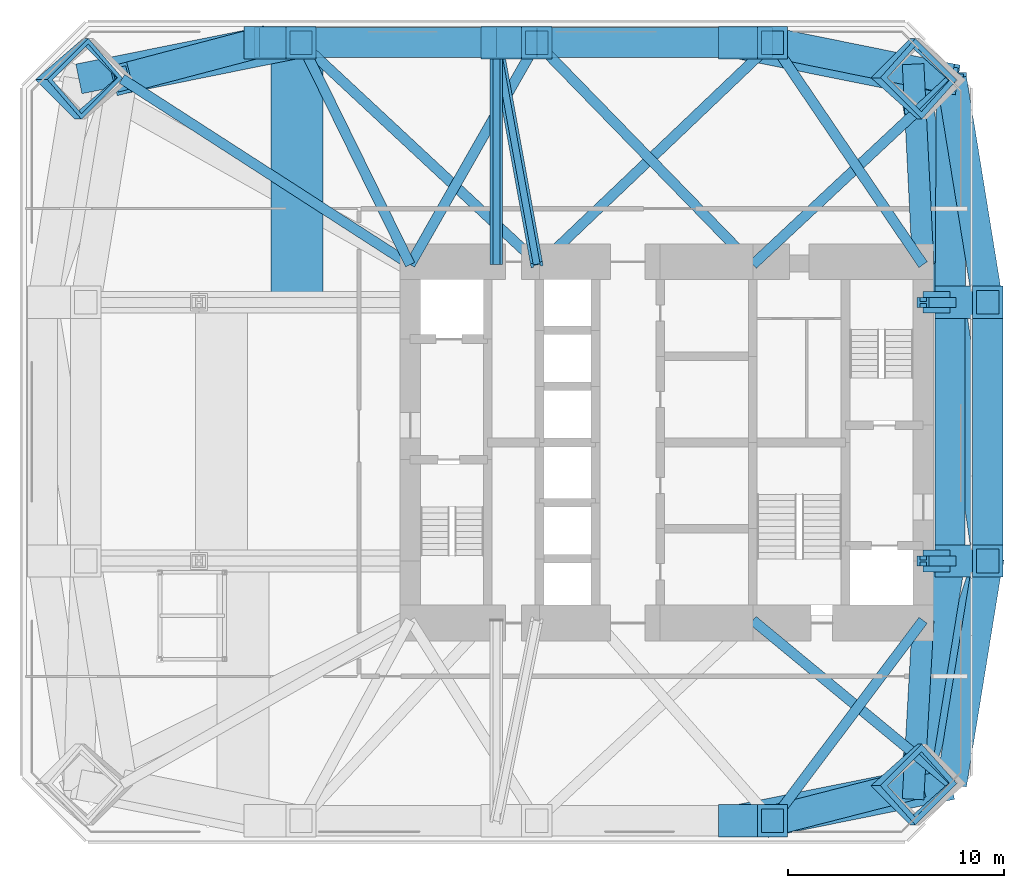
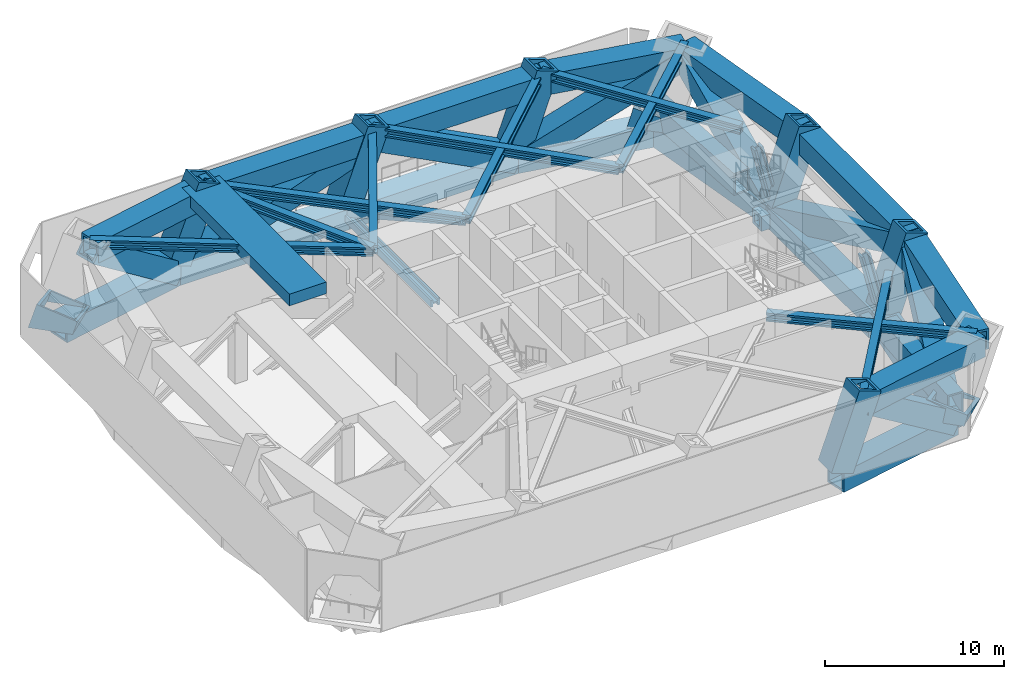
# One storey, part 2 of 8: 49 members, 3 beams.
"""IFC4 building model written with IfcOpenShell, lengths in metres."""

from ifc_helpers import new_model, si_unit, direction, frame, origin, origin_2d, place, context, subcontext, project, spatial, rectangle, hollow_rectangle, i_section, extrude, clip, halfspace, material, material_profile, profile_set, type_object, element, save


model = new_model("IFC4")

# Units and contexts
model_context = context("Model", 3, precision=1e-05, world=origin(), true_north=direction((0.0, 1.0)))
body_context = subcontext(model_context, "Body", "Model", "MODEL_VIEW")
ifc_project = project(units=[si_unit("LENGTHUNIT", "METRE"), si_unit("AREAUNIT", "SQUARE_METRE"), si_unit("VOLUMEUNIT", "CUBIC_METRE"), si_unit("PLANEANGLEUNIT", "RADIAN"), si_unit("MASSUNIT", "GRAM", prefix="KILO")], contexts=[model_context])

# Site, building, storey
site_placement = place(None, origin())
site = spatial("IfcSite", under=ifc_project, at=site_placement, CompositionType="ELEMENT")
building_placement = place(site_placement, origin())
building = spatial("IfcBuilding", under=site, at=building_placement, Name="Jalousie Tower", CompositionType="ELEMENT")
storey_placement = place(building_placement, frame((0.0, 0.0, 74.75)))
storey = spatial("IfcBuildingStorey", under=building, at=storey_placement, Name="L20", CompositionType="ELEMENT", Elevation=74.75)

# Members
ifc_material_1 = material(Name="Steel EN 10025-2 S355J2 plate", Category="steel")
ifc_material_profile_1 = material_profile(ifc_material_1, hollow_rectangle(XDim=1.39990234375, YDim=1.39990234375, WallThickness=0.14990234375, at=origin_2d()), Name="BOX 1400x1400x150")
ifc_profile_set_1 = profile_set([ifc_material_profile_1], Name="Steel EN 10025-2 S355J2 plate")
member_type_1 = type_object("IfcMemberType", Name="BELT TRUSS CHORD BOX 1400x1400x150", PredefinedType="CHORD", material=ifc_profile_set_1)
member_1_placement = place(storey_placement, frame((35.0, 0.949951171875, -0.699951171875), z_axis=(0.980407585444, 0.196979609107, 0.0), x_axis=(-0.196979609107, 0.980407585444, 0.0)))
element("IfcMember", 1, at=member_1_placement, inside=storey, type_object=member_type_1, Name="Belt truss T1 04-05 chord L20", PredefinedType="CHORD", context=body_context, shape_type="SweptSolid", body=[
    extrude(hollow_rectangle(XDim=1.39990234375, YDim=1.39990234375, WallThickness=0.14990234375, at=origin_2d()), origin(), (0.0, 0.0, 1.0), 8.535888671875),
])
member_2_placement = place(storey_placement, frame((36.8125, 0.949951171875, 4.02001953125), z_axis=(0.980120395427, 0.198403655379, 0.0), x_axis=(-0.198403655379, 0.980120395427, 0.0)))
element("IfcMember", 2, at=member_2_placement, inside=storey, type_object=member_type_1, Name="Belt truss T1 04-05 chord L21", PredefinedType="CHORD", context=body_context, shape_type="SweptSolid", body=[
    extrude(hollow_rectangle(XDim=1.39990234375, YDim=1.39990234375, WallThickness=0.14990234375, at=origin_2d()), origin(), (0.0, 0.0, 1.0), 8.474609375),
])
for number, where, z_axis, x_axis, name in (
    (3, (43.36865234375, 2.63134765625, -0.699951171875), (0.160070546476, 0.987105577003, 0.0), (-0.987105577003, 0.160070546476, 0.0), "Belt truss T1 05-06 chord L20"),
    (4, (45.11865234375, 2.63134765625, 4.02001953125), (0.160070546476, 0.987105577003, 0.0), (-0.987105577003, 0.160070546476, 0.0), "Belt truss T1 05-06 chord L21"),
):
    element("IfcMember", number, at=place(storey_placement, frame(where, z_axis=z_axis, x_axis=x_axis)), inside=storey, type_object=member_type_1, Name=name, PredefinedType="CHORD", context=body_context, shape_type="SweptSolid", body=[
        extrude(hollow_rectangle(XDim=1.39990234375, YDim=1.39990234375, WallThickness=0.14990234375, at=origin_2d()), origin(), (0.0, 0.0, 1.0), 10.504150390625),
    ])
for number, where, z_axis, x_axis, name in (
    (5, (45.050048828125, 13.0, -0.699951171875), (0.0, 1.0, 0.0), (-1.0, 0.0, 0.0), "Belt truss T1 06-07 chord L20"),
    (6, (46.800048828125, 13.0, 4.02001953125), (0.0, 1.0, 0.0), (-1.0, 0.0, 0.0), "Belt truss T1 06-07 chord L21"),
):
    element("IfcMember", number, at=place(storey_placement, frame(where, z_axis=z_axis, x_axis=x_axis)), inside=storey, type_object=member_type_1, Name=name, PredefinedType="CHORD", context=body_context, shape_type="SweptSolid", body=[
        extrude(hollow_rectangle(XDim=1.39990234375, YDim=1.39990234375, WallThickness=0.14990234375, at=origin_2d()), origin(), (0.0, 0.0, 1.0), 12.0),
    ])
for number, where, z_axis, x_axis, name in (
    (7, (45.050048828125, 25.0, -0.699951171875), (-0.160070546476, 0.987105577003, 0.0), (-0.987105577003, -0.160070546476, 0.0), "Belt truss T1 07-08 chord L20"),
    (8, (46.800048828125, 25.0, 4.02001953125), (-0.160070546476, 0.987105577003, 0.0), (-0.987105577003, -0.160070546476, 0.0), "Belt truss T1 07-08 chord L21"),
):
    element("IfcMember", number, at=place(storey_placement, frame(where, z_axis=z_axis, x_axis=x_axis)), inside=storey, type_object=member_type_1, Name=name, PredefinedType="CHORD", context=body_context, shape_type="SweptSolid", body=[
        extrude(hollow_rectangle(XDim=1.39990234375, YDim=1.39990234375, WallThickness=0.14990234375, at=origin_2d()), origin(), (0.0, 0.0, 1.0), 10.504150390625),
    ])
member_3_placement = place(storey_placement, frame((43.36865234375, 35.36865234375, -0.699951171875), z_axis=(-0.980407585444, 0.196979609107, 0.0), x_axis=(-0.196979609107, -0.980407585444, 0.0)))
element("IfcMember", 9, at=member_3_placement, inside=storey, type_object=member_type_1, Name="Belt truss T1 08-09 chord L20", PredefinedType="CHORD", context=body_context, shape_type="SweptSolid", body=[
    extrude(hollow_rectangle(XDim=1.39990234375, YDim=1.39990234375, WallThickness=0.14990234375, at=origin_2d()), origin(), (0.0, 0.0, 1.0), 8.535888671875),
])
member_4_placement = place(storey_placement, frame((45.11865234375, 35.36865234375, 4.02001953125), z_axis=(-0.980120395427, 0.198403655379, 0.0), x_axis=(-0.198403655379, -0.980120395427, 0.0)))
element("IfcMember", 10, at=member_4_placement, inside=storey, type_object=member_type_1, Name="Belt truss T1 08-09 chord L21", PredefinedType="CHORD", context=body_context, shape_type="SweptSolid", body=[
    extrude(hollow_rectangle(XDim=1.39990234375, YDim=1.39990234375, WallThickness=0.14990234375, at=origin_2d()), origin(), (0.0, 0.0, 1.0), 8.474609375),
])
member_5_placement = place(storey_placement, frame((35.0, 37.050048828125, -0.699951171875), z_axis=(-1.0, 0.0, 0.0), x_axis=(0.0, -1.0, 0.0)))
element("IfcMember", 11, at=member_5_placement, inside=storey, type_object=member_type_1, Name="Belt truss T1 09-10 chord L20", PredefinedType="CHORD", context=body_context, shape_type="SweptSolid", body=[
    extrude(hollow_rectangle(XDim=1.39990234375, YDim=1.39990234375, WallThickness=0.14990234375, at=origin_2d()), origin(), (0.0, 0.0, 1.0), 11.0),
])
member_6_placement = place(storey_placement, frame((36.8125, 37.050048828125, 4.02001953125), z_axis=(-1.0, 0.0, 0.0), x_axis=(0.0, -1.0, 0.0)))
element("IfcMember", 12, at=member_6_placement, inside=storey, type_object=member_type_1, Name="Belt truss T1 09-10 chord L21", PredefinedType="CHORD", context=body_context, shape_type="SweptSolid", body=[
    extrude(hollow_rectangle(XDim=1.39990234375, YDim=1.39990234375, WallThickness=0.14990234375, at=origin_2d()), origin(), (0.0, 0.0, 1.0), 10.9375),
])
member_7_placement = place(storey_placement, frame((24.0, 37.050048828125, -0.699951171875), z_axis=(-1.0, 0.0, 0.0), x_axis=(0.0, -1.0, 0.0)))
element("IfcMember", 13, at=member_7_placement, inside=storey, type_object=member_type_1, Name="Belt truss T1 10-11 chord L20", PredefinedType="CHORD", context=body_context, shape_type="SweptSolid", body=[
    extrude(hollow_rectangle(XDim=1.39990234375, YDim=1.39990234375, WallThickness=0.14990234375, at=origin_2d()), origin(), (0.0, 0.0, 1.0), 11.0),
])
member_8_placement = place(storey_placement, frame((25.875, 37.050048828125, 4.02001953125), z_axis=(-1.0, 0.0, 0.0), x_axis=(0.0, -1.0, 0.0)))
element("IfcMember", 14, at=member_8_placement, inside=storey, type_object=member_type_1, Name="Belt truss T1 10-11 chord L21", PredefinedType="CHORD", context=body_context, shape_type="SweptSolid", body=[
    extrude(hollow_rectangle(XDim=1.39990234375, YDim=1.39990234375, WallThickness=0.14990234375, at=origin_2d()), origin(), (0.0, 0.0, 1.0), 10.9375),
])
member_9_placement = place(storey_placement, frame((13.0, 37.050048828125, -0.699951171875), z_axis=(-0.980407585444, -0.196979609107, 0.0), x_axis=(0.196979609107, -0.980407585444, 0.0)))
element("IfcMember", 15, at=member_9_placement, inside=storey, type_object=member_type_1, Name="Belt truss T1 11-12 chord L20", PredefinedType="CHORD", context=body_context, shape_type="SweptSolid", body=[
    extrude(hollow_rectangle(XDim=1.39990234375, YDim=1.39990234375, WallThickness=0.14990234375, at=origin_2d()), origin(), (0.0, 0.0, 1.0), 8.535888671875),
])
member_10_placement = place(storey_placement, frame((14.9375, 37.050048828125, 4.02001953125), z_axis=(-0.980120395427, -0.198403655379, 0.0), x_axis=(0.198403655379, -0.980120395427, 0.0)))
element("IfcMember", 16, at=member_10_placement, inside=storey, type_object=member_type_1, Name="Belt truss T1 11-12 chord L21", PredefinedType="CHORD", context=body_context, shape_type="SweptSolid", body=[
    extrude(hollow_rectangle(XDim=1.39990234375, YDim=1.39990234375, WallThickness=0.14990234375, at=origin_2d()), origin(), (0.0, 0.0, 1.0), 8.474609375),
])
ifc_material_2 = material(Name="Steel EN 10025-2 S355J2 plate", Category="steel")
ifc_material_profile_2 = material_profile(ifc_material_2, hollow_rectangle(XDim=1.39990234375, YDim=1.39990234375, WallThickness=0.14990234375, at=origin_2d()), Name="BOX 1400x1400x150")
ifc_profile_set_2 = profile_set([ifc_material_profile_2], Name="Steel EN 10025-2 S355J2 plate")
member_type_2 = type_object("IfcMemberType", Name="BELT TRUSS DIAGONAL BOX 1400x1400x150", PredefinedType="BRACE", material=ifc_profile_set_2)
member_11_placement = place(storey_placement, frame((36.8125, 0.949951171875, 4.02001953125), z_axis=(0.794534259049, 0.203766941315, -0.572009042608), x_axis=(-0.248421345588, 0.968652071208, 0.0)))
element("IfcMember", 17, at=member_11_placement, inside=storey, type_object=member_type_2, Name="Belt truss T1 04-05 diagonal L20", PredefinedType="BRACE", context=body_context, shape_type="SweptSolid", body=[
    extrude(hollow_rectangle(XDim=1.39990234375, YDim=1.39990234375, WallThickness=0.14990234375, at=origin_2d()), origin(), (0.0, 0.0, 1.0), 8.25146484375),
])
member_12_placement = place(storey_placement, frame((43.36865234375, 2.63134765625, -0.699951171875), z_axis=(0.288401979619, 0.871464395192, 0.396704053502), x_axis=(-0.94936288188, 0.314181664818, 0.0)))
element("IfcMember", 18, at=member_12_placement, inside=storey, type_object=member_type_2, Name="Belt truss T1 05-06 diagonal L20", PredefinedType="BRACE", context=body_context, shape_type="SweptSolid", body=[
    extrude(hollow_rectangle(XDim=1.39990234375, YDim=1.39990234375, WallThickness=0.14990234375, at=origin_2d()), origin(), (0.0, 0.0, 1.0), 11.89794921875),
])
member_13_placement = place(storey_placement, frame((46.800048828125, 13.0, 4.02001953125), z_axis=(-0.134479929119, 0.922148085387, -0.362709328914), x_axis=(-0.989532981063, -0.144306893072, 0.0)))
element("IfcMember", 19, at=member_13_placement, inside=storey, type_object=member_type_2, Name="Belt truss T1 06-07 diagonal L20", PredefinedType="BRACE", context=body_context, shape_type="SweptSolid", body=[
    extrude(hollow_rectangle(XDim=1.39990234375, YDim=1.39990234375, WallThickness=0.14990234375, at=origin_2d()), origin(), (0.0, 0.0, 1.0), 13.01318359375),
])
member_14_placement = place(storey_placement, frame((45.050048828125, 25.0, -0.699951171875), z_axis=(0.006021750751, 0.910120122461, 0.414300737639), x_axis=(-0.999978112112, 0.006616290311, 0.0)))
element("IfcMember", 20, at=member_14_placement, inside=storey, type_object=member_type_2, Name="Belt truss T1 07-08 diagonal L20", PredefinedType="BRACE", context=body_context, shape_type="SweptSolid", body=[
    extrude(hollow_rectangle(XDim=1.39990234375, YDim=1.39990234375, WallThickness=0.14990234375, at=origin_2d()), origin(), (0.0, 0.0, 1.0), 11.392578125),
])
member_15_placement = place(storey_placement, frame((45.11865234375, 35.36865234375, 4.02001953125), z_axis=(-0.89614982382, 0.148911447103, -0.418020183948), x_axis=(-0.163920366465, -0.986473574637, 0.0)))
element("IfcMember", 21, at=member_15_placement, inside=storey, type_object=member_type_2, Name="Belt truss T1 08-09 diagonal L20", PredefinedType="BRACE", context=body_context, shape_type="SweptSolid", body=[
    extrude(hollow_rectangle(XDim=1.39990234375, YDim=1.39990234375, WallThickness=0.14990234375, at=origin_2d()), origin(), (0.0, 0.0, 1.0), 11.291259765625),
])
member_16_placement = place(storey_placement, frame((35.0, 37.050048828125, -0.699951171875), z_axis=(-0.888211958398, 0.0, 0.459433909239), x_axis=(0.0, -1.0, 0.0)))
element("IfcMember", 22, at=member_16_placement, inside=storey, type_object=member_type_2, Name="Belt truss T1 09-10 diagonal L20", PredefinedType="BRACE", context=body_context, shape_type="SweptSolid", body=[
    extrude(hollow_rectangle(XDim=1.39990234375, YDim=1.39990234375, WallThickness=0.14990234375, at=origin_2d()), origin(), (0.0, 0.0, 1.0), 10.2734375),
])
member_17_placement = place(storey_placement, frame((25.875, 37.050048828125, 4.02001953125), z_axis=(-0.938896646404, 0.0, -0.344199197226), x_axis=(0.0, -1.0, 0.0)))
element("IfcMember", 23, at=member_17_placement, inside=storey, type_object=member_type_2, Name="Belt truss T1 10-11 diagonal L20", PredefinedType="BRACE", context=body_context, shape_type="SweptSolid", body=[
    extrude(hollow_rectangle(XDim=1.39990234375, YDim=1.39990234375, WallThickness=0.14990234375, at=origin_2d()), origin(), (0.0, 0.0, 1.0), 13.712890625),
])
member_18_placement = place(storey_placement, frame((13.0, 37.050048828125, -0.699951171875), z_axis=(-0.785924327602, -0.207492940435, 0.582468566493), x_axis=(0.255264952491, -0.966871141378, 0.0)))
element("IfcMember", 24, at=member_18_placement, inside=storey, type_object=member_type_2, Name="Belt truss T1 11-12 diagonal L20", PredefinedType="BRACE", context=body_context, shape_type="SweptSolid", body=[
    extrude(hollow_rectangle(XDim=1.39990234375, YDim=1.39990234375, WallThickness=0.14990234375, at=origin_2d()), origin(), (0.0, 0.0, 1.0), 8.103271484375),
])

# Beams
ifc_material_3 = material(Name="Steel ASTM A572 Grade 50 plate", Category="steel")
ifc_material_profile_3 = material_profile(ifc_material_3, hollow_rectangle(XDim=1.0, YDim=1.5, WallThickness=0.10009765625, at=origin_2d()), Name="BOX 1500x1000x100")
ifc_profile_set_3 = profile_set([ifc_material_profile_3], Name="Steel ASTM A572 Grade 50 plate")
beam_type_1 = type_object("IfcBeamType", Name="KINK COLLECTOR BOX 1500x1000x100", PredefinedType="BEAM", material=ifc_profile_set_3)
beam_1_placement = place(storey_placement, frame((43.330078125, 1.949462890625, 0.75), z_axis=(0.056528776369, 0.998400970273, 0.0), x_axis=(-0.998400970273, 0.056528776369, 0.0)))
element("IfcBeam", 25, at=beam_1_placement, inside=storey, type_object=beam_type_1, Name="Kink collector 05 L20", PredefinedType="BEAM", context=body_context, shape_type="SweptSolid", body=[
    extrude(hollow_rectangle(XDim=1.0, YDim=1.5, WallThickness=0.10009765625, at=origin_2d()), origin(), (0.0, 0.0, 1.0), 8.313720703125),
])
beam_2_placement = place(storey_placement, frame((43.33447265625, 36.05078125, 0.75), z_axis=(0.049995149657, -0.998749460581, 0.0), x_axis=(0.998749460581, 0.049995149657, 0.0)))
element("IfcBeam", 26, at=beam_2_placement, inside=storey, type_object=beam_type_1, Name="Kink collector 08 L20", PredefinedType="BEAM", context=body_context, shape_type="SweptSolid", body=[
    extrude(hollow_rectangle(XDim=1.0, YDim=1.5, WallThickness=0.10009765625, at=origin_2d()), origin(), (0.0, 0.0, 1.0), 9.3125),
])

# Members
ifc_material_4 = material(Name="Steel ASTM A992 Grade 50", Category="steel")
ifc_material_profile_4 = material_profile(ifc_material_4, i_section(OverallWidth=0.472412109375, OverallDepth=0.5791015625, WebThickness=0.094970703125, FlangeThickness=0.1298828125, at=origin_2d()), Name="W14X808")
ifc_profile_set_4 = profile_set([ifc_material_profile_4], Name="Steel ASTM A992 Grade 50")
member_type_3 = type_object("IfcMemberType", Name="KINK FLOOR TRUSS DIAGONAL W14X808", PredefinedType="BRACE", material=ifc_profile_set_4)
member_19_placement = place(storey_placement, frame((36.8125, 0.949951171875, 4.430419921875), z_axis=(0.600688173521, 0.799483407077, 0.0), x_axis=(-0.799483407077, 0.600688173521, 0.0)))
element("IfcMember", 27, at=member_19_placement, inside=storey, type_object=member_type_3, Name="Kink floor truss L21 04 diagonal", PredefinedType="BRACE", context=body_context, shape_type="SweptSolid", body=[
    extrude(i_section(OverallWidth=0.472412109375, OverallDepth=0.5791015625, WebThickness=0.094970703125, FlangeThickness=0.1298828125, at=origin_2d()), origin(), (0.0, 0.0, 1.0), 11.632568359375),
])
member_20_placement = place(storey_placement, frame((45.11865234375, 2.63134765625, 4.430419921875), z_axis=(-0.770831865989, 0.637038644334, 0.0), x_axis=(-0.637038644334, -0.770831865989, 0.0)))
element("IfcMember", 28, at=member_20_placement, inside=storey, type_object=member_type_3, Name="Kink floor truss L21 05 diagonal", PredefinedType="BRACE", context=body_context, shape_type="SweptSolid", body=[
    extrude(i_section(OverallWidth=0.472412109375, OverallDepth=0.5791015625, WebThickness=0.094970703125, FlangeThickness=0.1298828125, at=origin_2d()), origin(), (0.0, 0.0, 1.0), 11.95947265625),
])
member_21_placement = place(storey_placement, frame((45.11865234375, 35.36865234375, 4.430419921875), z_axis=(-0.730482460423, -0.68293145704, 0.0), x_axis=(0.68293145704, -0.730482460423, 0.0)))
element("IfcMember", 29, at=member_21_placement, inside=storey, type_object=member_type_3, Name="Kink floor truss L21 08 diagonal", PredefinedType="BRACE", context=body_context, shape_type="SweptSolid", body=[
    extrude(i_section(OverallWidth=0.472412109375, OverallDepth=0.5791015625, WebThickness=0.094970703125, FlangeThickness=0.1298828125, at=origin_2d()), origin(), (0.0, 0.0, 1.0), 12.6201171875),
])
member_22_placement = place(storey_placement, frame((36.8125, 37.050048828125, 4.430419921875), z_axis=(-0.724056667887, -0.689740488654, 0.0), x_axis=(0.689740488654, -0.724056667887, 0.0)))
element("IfcMember", 30, at=member_22_placement, inside=storey, type_object=member_type_3, Name="Kink floor truss L21 09 diagonal", PredefinedType="BRACE", context=body_context, shape_type="SweptSolid", body=[
    extrude(i_section(OverallWidth=0.472412109375, OverallDepth=0.5791015625, WebThickness=0.094970703125, FlangeThickness=0.1298828125, at=origin_2d()), origin(), (0.0, 0.0, 1.0), 14.93310546875),
])
member_23_placement = place(storey_placement, frame((36.8125, 37.050048828125, 4.430419921875), z_axis=(0.561404041279, -0.827541843314, 0.0), x_axis=(0.827541843314, 0.561404041279, 0.0)))
element("IfcMember", 31, at=member_23_placement, inside=storey, type_object=member_type_3, Name="Kink floor truss L21 09 diagonal", PredefinedType="BRACE", context=body_context, shape_type="SweptSolid", body=[
    extrude(i_section(OverallWidth=0.472412109375, OverallDepth=0.5791015625, WebThickness=0.094970703125, FlangeThickness=0.1298828125, at=origin_2d()), origin(), (0.0, 0.0, 1.0), 12.446533203125),
])
member_24_placement = place(storey_placement, frame((25.875, 37.050048828125, 4.430419921875), z_axis=(-0.495455860607, -0.868633115988, 0.0), x_axis=(0.868633115988, -0.495455860607, 0.0)))
element("IfcMember", 32, at=member_24_placement, inside=storey, type_object=member_type_3, Name="Kink floor truss L21 10 diagonal", PredefinedType="BRACE", context=body_context, shape_type="SweptSolid", body=[
    extrude(i_section(OverallWidth=0.472412109375, OverallDepth=0.5791015625, WebThickness=0.094970703125, FlangeThickness=0.1298828125, at=origin_2d()), origin(), (0.0, 0.0, 1.0), 11.857666015625),
])
member_25_placement = place(storey_placement, frame((25.875, 37.050048828125, 4.430419921875), z_axis=(0.697470505101, -0.716613490324, 0.0), x_axis=(0.716613490324, 0.697470505101, 0.0)))
element("IfcMember", 33, at=member_25_placement, inside=storey, type_object=member_type_3, Name="Kink floor truss L21 10 diagonal", PredefinedType="BRACE", context=body_context, shape_type="SweptSolid", body=[
    extrude(i_section(OverallWidth=0.472412109375, OverallDepth=0.5791015625, WebThickness=0.094970703125, FlangeThickness=0.1298828125, at=origin_2d()), origin(), (0.0, 0.0, 1.0), 14.373291015625),
])
member_26_placement = place(storey_placement, frame((14.9375, 37.050048828125, 4.430419921875), z_axis=(0.44110229777, -0.897456830662, 0.0), x_axis=(0.897456830662, 0.44110229777, 0.0)))
element("IfcMember", 34, at=member_26_placement, inside=storey, type_object=member_type_3, Name="Kink floor truss L21 11 diagonal", PredefinedType="BRACE", context=body_context, shape_type="SweptSolid", body=[
    extrude(i_section(OverallWidth=0.472412109375, OverallDepth=0.5791015625, WebThickness=0.094970703125, FlangeThickness=0.1298828125, at=origin_2d()), origin(), (0.0, 0.0, 1.0), 11.47705078125),
])
member_27_placement = place(storey_placement, frame((14.9375, 37.050048828125, 4.430419921875), z_axis=(0.731878141186, -0.681435533601, 0.0), x_axis=(0.681435533601, 0.731878141186, 0.0)))
element("IfcMember", 35, at=member_27_placement, inside=storey, type_object=member_type_3, Name="Kink floor truss L21 11 diagonal", PredefinedType="BRACE", context=body_context, shape_type="SweptSolid", body=[
    extrude(i_section(OverallWidth=0.472412109375, OverallDepth=0.5791015625, WebThickness=0.094970703125, FlangeThickness=0.1298828125, at=origin_2d()), origin(), (0.0, 0.0, 1.0), 15.115234375),
])
member_28_placement = place(storey_placement, frame((6.63134765625, 35.36865234375, 4.430419921875), z_axis=(0.840476593747, -0.541847852596, 0.0), x_axis=(0.541847852596, 0.840476593747, 0.0)))
element("IfcMember", 36, at=member_28_placement, inside=storey, type_object=member_type_3, Name="Kink floor truss L21 12 diagonal", PredefinedType="BRACE", context=body_context, shape_type="SweptSolid", body=[
    extrude(i_section(OverallWidth=0.472412109375, OverallDepth=0.5791015625, WebThickness=0.094970703125, FlangeThickness=0.1298828125, at=origin_2d()), origin(), (0.0, 0.0, 1.0), 15.906005859375),
])
ifc_material_5 = material(Name="Steel EN 10025-2 S355J2 plate", Category="steel")
ifc_material_profile_5 = material_profile(ifc_material_5, hollow_rectangle(XDim=2.5, YDim=2.800048828125, WallThickness=0.175048828125, at=origin_2d()), Name="BOX 2800x2500x175")
ifc_profile_set_5 = profile_set([ifc_material_profile_5], Name="Steel EN 10025-2 S355J2 plate")
member_type_4 = type_object("IfcMemberType", Name="KINK NODE BOX 2800x2500x175", PredefinedType="MEMBER", material=ifc_profile_set_5)
member_29_placement = place(storey_placement, frame((4.3525390625, 35.36865234375, -0.697021484375), z_axis=(0.371390676354, 0.0, 0.928476690885), x_axis=(0.631748504238, -0.732827974204, -0.252699401695)))
element("IfcMember", 37, at=member_29_placement, inside=storey, type_object=member_type_4, Name="Kink node of corner column 12 at +74.750", PredefinedType="MEMBER", context=body_context, shape_type="Clipping", body=[
    clip(extrude(hollow_rectangle(XDim=2.5, YDim=2.800048828125, WallThickness=0.175048828125, at=origin_2d()), origin(), (0.0, 0.0, 1.0), 1.50146484375), halfspace(frame((0.0, 0.0, 0.750732421875), z_axis=(-0.252699401695, -0.272165476991, 0.928476690885)), True)),
])
ifc_material_6 = material(Name="Steel EN 10025-2 S355J2 plate", Category="steel")
ifc_material_profile_6 = material_profile(ifc_material_6, hollow_rectangle(XDim=2.5, YDim=2.800048828125, WallThickness=0.25, at=origin_2d()), Name="BOX 2800x2500x250")
ifc_profile_set_6 = profile_set([ifc_material_profile_6], Name="Steel EN 10025-2 S355J2 plate")
member_type_5 = type_object("IfcMemberType", Name="KINK NODE BOX 2800x2500x250", PredefinedType="MEMBER", material=ifc_profile_set_6)
member_30_placement = place(storey_placement, frame((43.151611328125, 2.63134765625, -0.619873046875), z_axis=(0.330300747079, 0.0, 0.943875742076), x_axis=(-0.647875004471, 0.727225506888, 0.226717976161)))
element("IfcMember", 38, at=member_30_placement, inside=storey, type_object=member_type_5, Name="Kink node of corner column 05 at +74.750", PredefinedType="MEMBER", context=body_context, shape_type="Clipping", body=[
    clip(extrude(hollow_rectangle(XDim=2.5, YDim=2.800048828125, WallThickness=0.25, at=origin_2d()), origin(), (0.0, 0.0, 1.0), 1.3134765625), halfspace(frame((0.0, 0.0, 0.65673828125), z_axis=(0.226717976161, 0.24020312822, 0.943875742076)), True)),
])
member_31_placement = place(storey_placement, frame((43.151611328125, 35.36865234375, -0.619873046875), z_axis=(0.330300747079, 0.0, 0.943875742076), x_axis=(-0.647875004471, -0.727225506888, 0.226717976161)))
element("IfcMember", 39, at=member_31_placement, inside=storey, type_object=member_type_5, Name="Kink node of corner column 08 at +74.750", PredefinedType="MEMBER", context=body_context, shape_type="Clipping", body=[
    clip(extrude(hollow_rectangle(XDim=2.5, YDim=2.800048828125, WallThickness=0.25, at=origin_2d()), origin(), (0.0, 0.0, 1.0), 1.3134765625), halfspace(frame((0.0, 0.0, 0.65673828125), z_axis=(0.226717976161, -0.24020312822, 0.943875742076)), True)),
])
ifc_material_7 = material(Name="Steel ASTM A992 Grade 50", Category="steel")
ifc_material_profile_7 = material_profile(ifc_material_7, i_section(OverallWidth=0.472412109375, OverallDepth=0.5791015625, WebThickness=0.094970703125, FlangeThickness=0.1298828125, at=origin_2d()), Name="W14X808")
ifc_profile_set_7 = profile_set([ifc_material_profile_7], Name="Steel ASTM A992 Grade 50")
member_type_6 = type_object("IfcMemberType", Name="NORTH-SOUTH OUTRIGGER CHORD W14X808", PredefinedType="CHORD", material=ifc_profile_set_7)
member_32_placement = place(storey_placement, frame((24.0, 37.050048828125, -0.569580078125), z_axis=(0.0, -1.0, 0.0), x_axis=(0.0, 0.0, 1.0)))
element("IfcMember", 40, at=member_32_placement, inside=storey, type_object=member_type_6, Name="Outrigger T1 N10 chord L20", PredefinedType="CHORD", context=body_context, shape_type="SweptSolid", body=[
    extrude(i_section(OverallWidth=0.472412109375, OverallDepth=0.5791015625, WebThickness=0.094970703125, FlangeThickness=0.1298828125, at=origin_2d()), origin(), (0.0, 0.0, 1.0), 10.300048828125),
])
ifc_material_8 = material(Name="Steel ASTM A992 Grade 50", Category="steel")
ifc_material_profile_8 = material_profile(ifc_material_8, i_section(OverallWidth=0.45458984375, OverallDepth=0.569091796875, WebThickness=0.077880859375, FlangeThickness=0.124755859375, at=origin_2d()), Name="W14X730")
ifc_profile_set_8 = profile_set([ifc_material_profile_8], Name="Steel ASTM A992 Grade 50")
member_type_7 = type_object("IfcMemberType", Name="NORTH-SOUTH OUTRIGGER DIAGONAL W14X730", PredefinedType="BRACE", material=ifc_profile_set_8)
member_33_placement = place(storey_placement, frame((24.0, 37.050048828125, -0.569580078125), z_axis=(0.161609931043, -0.887781429791, 0.430959816116), x_axis=(-0.077182641019, 0.423991984632, 0.90237111927)))
element("IfcMember", 41, at=member_33_placement, inside=storey, type_object=member_type_7, Name="Outrigger T1 N10 diagonal L20", PredefinedType="BRACE", context=body_context, shape_type="SweptSolid", body=[
    extrude(i_section(OverallWidth=0.45458984375, OverallDepth=0.569091796875, WebThickness=0.077880859375, FlangeThickness=0.124755859375, at=origin_2d()), origin(), (0.0, 0.0, 1.0), 11.60205078125),
])
ifc_material_9 = material(Name="Steel EN 10025-2 S355J2 plate", Category="steel")
ifc_material_profile_9 = material_profile(ifc_material_9, hollow_rectangle(XDim=1.0, YDim=1.0, WallThickness=0.199951171875, at=origin_2d()), Name="BOX 1000x1000x200")
ifc_profile_set_9 = profile_set([ifc_material_profile_9], Name="Steel EN 10025-2 S355J2 plate")
member_type_8 = type_object("IfcMemberType", Name="OUTRIGGER CHORD BOX 1000x1000x200", PredefinedType="CHORD", material=ifc_profile_set_9)
for number, where, z_axis, x_axis, name in (
    (42, (45.050048828125, 13.0, -0.780029296875), (-1.0, 0.0, 0.0), (0.0, -1.0, 0.0), "Outrigger T1 east arm at column 06 chord L20"),
    (43, (45.050048828125, 25.0, -0.780029296875), (-1.0, 0.0, 0.0), (0.0, -1.0, 0.0), "Outrigger T1 east arm at column 07 chord L20"),
):
    element("IfcMember", number, at=place(storey_placement, frame(where, z_axis=z_axis, x_axis=x_axis)), inside=storey, type_object=member_type_8, Name=name, PredefinedType="CHORD", context=body_context, shape_type="SweptSolid", body=[
        extrude(hollow_rectangle(XDim=1.0, YDim=1.0, WallThickness=0.199951171875, at=origin_2d()), origin(), (0.0, 0.0, 1.0), 1.25),
    ])
ifc_material_10 = material(Name="Steel ASTM A992 Grade 50", Category="steel")
ifc_material_profile_10 = material_profile(ifc_material_10, i_section(OverallWidth=0.472412109375, OverallDepth=0.5791015625, WebThickness=0.094970703125, FlangeThickness=0.1298828125, at=origin_2d()), Name="W14X808")
ifc_profile_set_10 = profile_set([ifc_material_profile_10], Name="Steel ASTM A992 Grade 50")
member_type_9 = type_object("IfcMemberType", Name="OUTRIGGER DIAGONAL W14X808", PredefinedType="BRACE", material=ifc_profile_set_10)
for number, where, z_axis, x_axis, name in (
    (44, (45.050048828125, 13.0, -0.780029296875), (-0.242535625036, 0.0, 0.970142500145), (0.0, -1.0, 0.0), "Outrigger T1 east arm at column 06 diagonal L20"),
    (45, (45.050048828125, 25.0, -0.780029296875), (-0.242535625036, 0.0, 0.970142500145), (0.0, -1.0, 0.0), "Outrigger T1 east arm at column 07 diagonal L20"),
):
    element("IfcMember", number, at=place(storey_placement, frame(where, z_axis=z_axis, x_axis=x_axis)), inside=storey, type_object=member_type_9, Name=name, PredefinedType="BRACE", context=body_context, shape_type="SweptSolid", body=[
        extrude(i_section(OverallWidth=0.472412109375, OverallDepth=0.5791015625, WebThickness=0.094970703125, FlangeThickness=0.1298828125, at=origin_2d()), origin(), (0.0, 0.0, 1.0), 5.15380859375),
    ])

# Beam
ifc_material_11 = material(Name="Concrete f'c 40 MPa", Category="concrete")
ifc_material_profile_11 = material_profile(ifc_material_11, rectangle(XDim=2.39990234375, YDim=0.800048828125, at=origin_2d()), Name="RC 2400x800")
ifc_profile_set_11 = profile_set([ifc_material_profile_11], Name="Concrete f'c 40 MPa")
beam_type_2 = type_object("IfcBeamType", Name="RC BEAM 2400x800", PredefinedType="BEAM", material=ifc_profile_set_11)
beam_3_placement = place(storey_placement, frame((14.75, 25.0, 4.320068359375), z_axis=(0.0, 1.0, 0.0), x_axis=(-1.0, 0.0, 0.0)))
element("IfcBeam", 46, at=beam_3_placement, inside=storey, type_object=beam_type_2, Name="Floor band beam under L21", PredefinedType="BEAM", context=body_context, shape_type="SweptSolid", body=[
    extrude(rectangle(XDim=2.39990234375, YDim=0.800048828125, at=origin_2d()), origin(), (0.0, 0.0, 1.0), 12.011962890625),
])

# Members
ifc_material_12 = material(Name="Steel EN 10025-2 S355J2 plate", Category="steel")
ifc_material_profile_12 = material_profile(ifc_material_12, hollow_rectangle(XDim=1.5, YDim=1.5, WallThickness=0.199951171875, at=origin_2d()), Name="BOX 1500x1500x200")
ifc_profile_set_12 = profile_set([ifc_material_profile_12], Name="Steel EN 10025-2 S355J2 plate")
member_type_10 = type_object("IfcMemberType", Name="TRANSFER TRUSS STRUT BOX 1500x1500x200", PredefinedType="STRUT", material=ifc_profile_set_12)
member_34_placement = place(storey_placement, frame((35.0, 0.949951171875, 0.0), z_axis=(0.340799323621, 0.0, 0.940136065162), x_axis=(0.0, 1.0, 0.0)))
element("IfcMember", 47, at=member_34_placement, inside=storey, type_object=member_type_10, Name="Transfer truss T1 strut 04 L20", PredefinedType="STRUT", context=body_context, shape_type="SweptSolid", body=[
    extrude(hollow_rectangle(XDim=1.5, YDim=1.5, WallThickness=0.199951171875, at=origin_2d()), origin(), (0.0, 0.0, 1.0), 5.318359375),
])
for number, where, z_axis, x_axis, name in (
    (48, (45.050048828125, 13.0, 0.0), (0.330350424728, 0.0, 0.943858356366), (0.0, 1.0, 0.0), "Transfer truss T1 strut 06 L20"),
    (49, (45.050048828125, 25.0, 0.0), (0.330350424728, 0.0, 0.943858356366), (0.0, 1.0, 0.0), "Transfer truss T1 strut 07 L20"),
):
    element("IfcMember", number, at=place(storey_placement, frame(where, z_axis=z_axis, x_axis=x_axis)), inside=storey, type_object=member_type_10, Name=name, PredefinedType="STRUT", context=body_context, shape_type="SweptSolid", body=[
        extrude(hollow_rectangle(XDim=1.5, YDim=1.5, WallThickness=0.199951171875, at=origin_2d()), origin(), (0.0, 0.0, 1.0), 5.29736328125),
    ])
member_35_placement = place(storey_placement, frame((35.0, 37.050048828125, 0.0), z_axis=(0.340799323621, 0.0, 0.940136065162), x_axis=(0.0, 1.0, 0.0)))
element("IfcMember", 50, at=member_35_placement, inside=storey, type_object=member_type_10, Name="Transfer truss T1 strut 09 L20", PredefinedType="STRUT", context=body_context, shape_type="SweptSolid", body=[
    extrude(hollow_rectangle(XDim=1.5, YDim=1.5, WallThickness=0.199951171875, at=origin_2d()), origin(), (0.0, 0.0, 1.0), 5.318359375),
])
member_36_placement = place(storey_placement, frame((24.0, 37.050048828125, 0.0), z_axis=(0.351123441588, 0.0, 0.936329177569), x_axis=(0.0, 1.0, 0.0)))
element("IfcMember", 51, at=member_36_placement, inside=storey, type_object=member_type_10, Name="Transfer truss T1 strut 10 L20", PredefinedType="STRUT", context=body_context, shape_type="SweptSolid", body=[
    extrude(hollow_rectangle(XDim=1.5, YDim=1.5, WallThickness=0.199951171875, at=origin_2d()), origin(), (0.0, 0.0, 1.0), 5.340087890625),
])
member_37_placement = place(storey_placement, frame((13.0, 37.050048828125, 0.0), z_axis=(0.361321067759, 0.0, 0.932441465184), x_axis=(0.0, 1.0, 0.0)))
element("IfcMember", 52, at=member_37_placement, inside=storey, type_object=member_type_10, Name="Transfer truss T1 strut 11 L20", PredefinedType="STRUT", context=body_context, shape_type="SweptSolid", body=[
    extrude(hollow_rectangle(XDim=1.5, YDim=1.5, WallThickness=0.199951171875, at=origin_2d()), origin(), (0.0, 0.0, 1.0), 5.3623046875),
])

save(model, "model.ifc")
